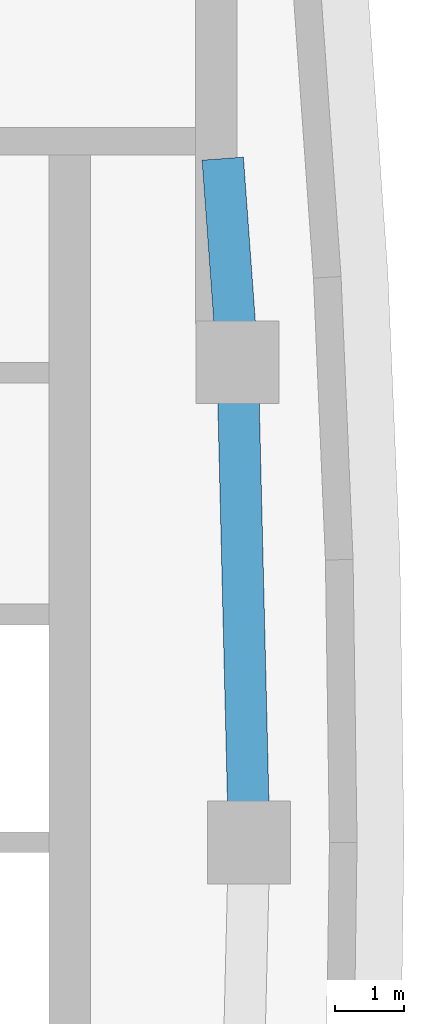
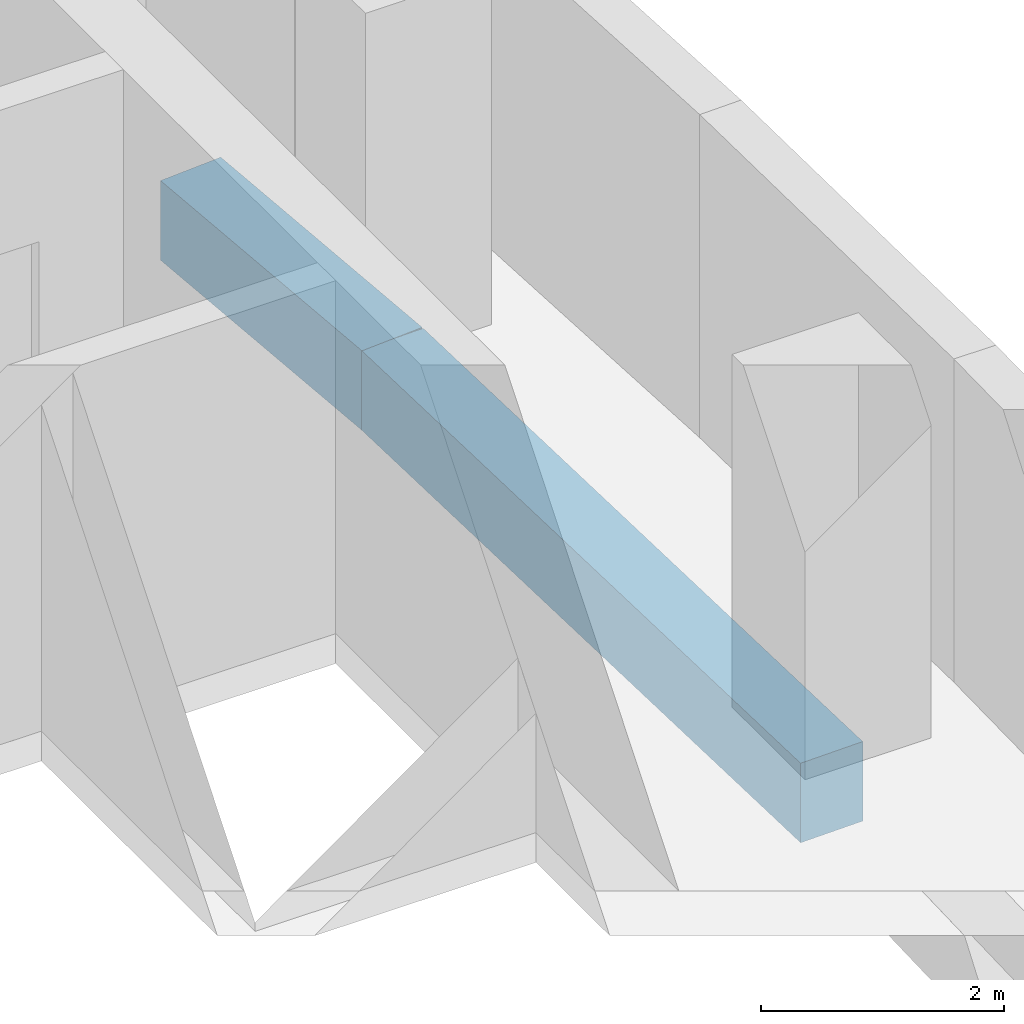
# One storey, part 5 of 16: 2 beams.
"""IFC4 building model written with IfcOpenShell, lengths in metres."""

from ifc_helpers import new_model, si_unit, direction, frame, origin, origin_2d, place, context, subcontext, project, spatial, rectangle, extrude, material, material_profile, profile_set, type_object, element, save


model = new_model("IFC4")

# Units and contexts
model_context = context("Model", 3, precision=1e-05, world=origin(), true_north=direction((0.0, 1.0)))
body_context = subcontext(model_context, "Body", "Model", "MODEL_VIEW")
ifc_project = project(units=[si_unit("LENGTHUNIT", "METRE"), si_unit("AREAUNIT", "SQUARE_METRE"), si_unit("VOLUMEUNIT", "CUBIC_METRE"), si_unit("PLANEANGLEUNIT", "RADIAN"), si_unit("MASSUNIT", "GRAM", prefix="KILO")], contexts=[model_context])

# Site, building, storey
site_placement = place(None, origin())
site = spatial("IfcSite", under=ifc_project, at=site_placement, CompositionType="ELEMENT")
building_placement = place(site_placement, origin())
building = spatial("IfcBuilding", under=site, at=building_placement, Name="Ostrand Prow Hotel Tower", CompositionType="ELEMENT")
storey_placement = place(building_placement, frame((0.0, 0.0, 220.800048828125)))
storey = spatial("IfcBuildingStorey", under=building, at=storey_placement, Name="L55", CompositionType="ELEMENT", Elevation=220.800048828125)

# Beams
ifc_material = material(Name="Concrete C50/60", Category="concrete")
ifc_material_profile = material_profile(ifc_material, rectangle(XDim=0.60009765625, YDim=0.800048828125, at=origin_2d()), Name="RC 600x800")
ifc_profile_set = profile_set([ifc_material_profile], Name="Concrete C50/60")
beam_type = type_object("IfcBeamType", Name="Edge beam 600x800 C50/60", PredefinedType="SPANDREL", material=ifc_profile_set)
beam_1_placement = place(storey_placement, frame((64.5, 0.0, -0.699951171875), z_axis=(-0.024223820991, 0.999706560195, 0.0), x_axis=(-0.999706560195, -0.024223820991, 0.0)))
element("IfcBeam", 1, at=beam_1_placement, inside=storey, type_object=beam_type, Name="Edge beam B3-B4", PredefinedType="SPANDREL", context=body_context, shape_type="SweptSolid", body=[
    extrude(rectangle(XDim=0.60009765625, YDim=0.800048828125, at=origin_2d()), origin(), (0.0, 0.0, 1.0), 6.9541015625),
])
beam_2_placement = place(storey_placement, frame((64.33154296875, 6.9521484375, -0.699951171875), z_axis=(-0.072691068771, 0.997354504938, 0.0), x_axis=(-0.997354504938, -0.072691068771, 0.0)))
element("IfcBeam", 2, at=beam_2_placement, inside=storey, type_object=beam_type, Name="Edge beam B4-B5", PredefinedType="SPANDREL", context=body_context, shape_type="SweptSolid", body=[
    extrude(rectangle(XDim=0.60009765625, YDim=0.800048828125, at=origin_2d()), origin(), (0.0, 0.0, 1.0), 2.95556640625),
])

save(model, "model.ifc")
